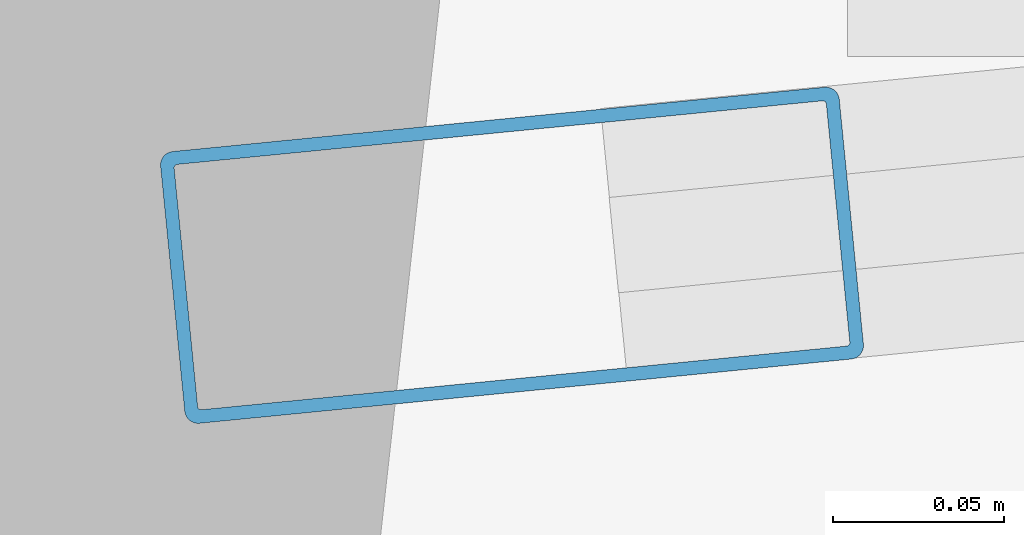
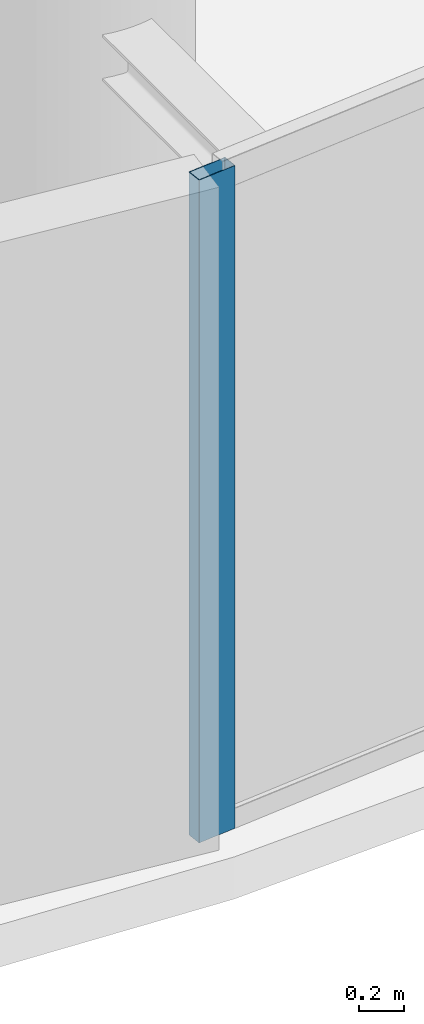
# One storey, part 4 of 23: 1 member, 1 element without a shape of its own.
"""IFC4 building model written with IfcOpenShell, lengths in metres."""

from ifc_helpers import new_model, si_unit, direction, frame, origin, origin_2d, place, context, subcontext, project, spatial, hollow_rectangle, extrude, material, layer, layer_set, material_profile, profile_set, type_object, element, aggregate, save


model = new_model("IFC4")

# Units and contexts
model_context = context("Model", 3, precision=1e-05, world=origin(), true_north=direction((0.0, 1.0)))
body_context = subcontext(model_context, "Body", "Model", "MODEL_VIEW")
ifc_project = project(units=[si_unit("LENGTHUNIT", "METRE"), si_unit("AREAUNIT", "SQUARE_METRE"), si_unit("VOLUMEUNIT", "CUBIC_METRE"), si_unit("PLANEANGLEUNIT", "RADIAN"), si_unit("MASSUNIT", "GRAM", prefix="KILO")], contexts=[model_context])

# Site, building, storey
site_placement = place(None, origin())
site = spatial("IfcSite", under=ifc_project, at=site_placement, CompositionType="ELEMENT")
building_placement = place(site_placement, origin())
building = spatial("IfcBuilding", under=site, at=building_placement, Name="Bramvorn Convention Spire", CompositionType="ELEMENT")
storey_placement = place(building_placement, frame((0.0, 0.0, 194.300048828125)))
storey = spatial("IfcBuildingStorey", under=building, at=storey_placement, Name="L49", CompositionType="ELEMENT", Elevation=194.300048828125)

# Curtain wall, member
ifc_material_1 = material(Name="Anodised Bronze Unitised Curtain Wall", Category="aluminium")
ifc_layer = layer(ifc_material_1, 0.179931640625)
ifc_layer_set = layer_set([ifc_layer], Name="Anodised Bronze Unitised Curtain Wall - CW-OFF-FRIT")
curtain_wall_type = type_object("IfcCurtainWallType", Name="CW-OFF-FRIT", PredefinedType="USERDEFINED", material=ifc_layer_set)
curtain_wall_placement = place(storey_placement, origin())
curtain_wall = element("IfcCurtainWall", 1, at=curtain_wall_placement, inside=storey, type_object=curtain_wall_type, Name="L49 fritted glass curtain wall 22", ObjectType="UNITISED CURTAIN WALL", PredefinedType="USERDEFINED")
ifc_material_2 = material(Name="Anodised Bronze Aluminium 6063-T6", Category="aluminium")
ifc_material_profile = material_profile(ifc_material_2, hollow_rectangle(XDim=0.080078125, YDim=0.199951171875, WallThickness=0.00390625, InnerFilletRadius=0.0009765625, OuterFilletRadius=0.00390625, at=origin_2d()))
ifc_profile_set = profile_set([ifc_material_profile], Name="Anodised Bronze Aluminium 6063-T6 - CWM80X200")
member_type = type_object("IfcMemberType", Name="CW-MUL-180", PredefinedType="MULLION", material=ifc_profile_set)
member_placement = place(storey_placement, frame((42.3583984375, 3.676025390625, 0.0), z_axis=(0.0, 0.0, 1.0), x_axis=(0.098099490805, -0.995176612418, 0.0)))
member = element("IfcMember", 2, at=member_placement, type_object=member_type, Name="CW3 mullion 2", PredefinedType="MULLION", context=body_context, shape_type="SweptSolid", body=[
    extrude(hollow_rectangle(XDim=0.080078125, YDim=0.199951171875, WallThickness=0.00390625, InnerFilletRadius=0.0009765625, OuterFilletRadius=0.00390625, at=origin_2d()), origin(), (0.0, 0.0, 1.0), 3.619873046875),
])
aggregate(curtain_wall, [member])

save(model, "model.ifc")
